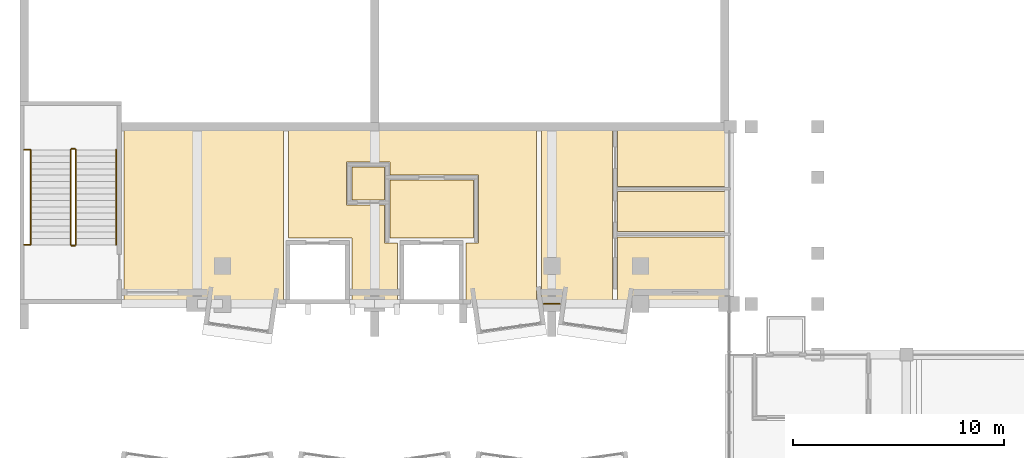
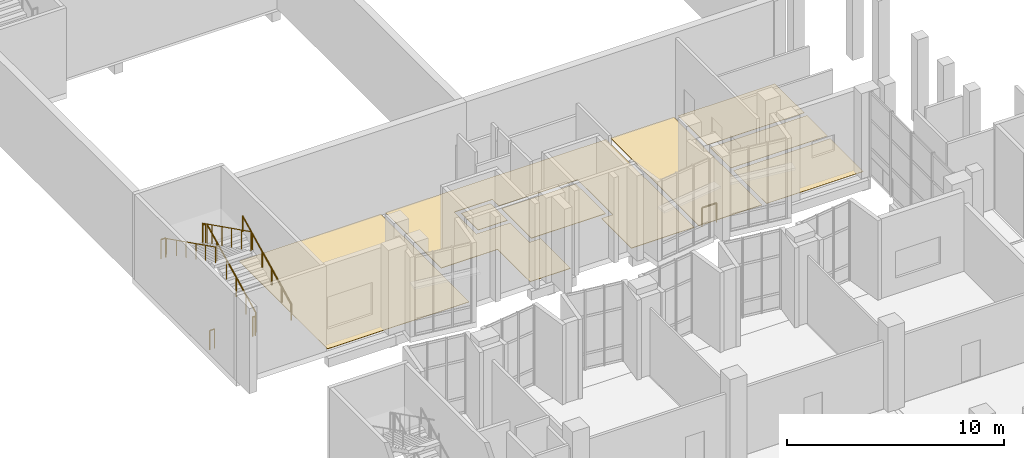
# One storey, part 72 of 91: 9 railings, 8 coverings.
"""IFC4 building model written with IfcOpenShell, lengths in metres."""

import ifcopenshell
import ifcopenshell.guid

model = None  # the IFC model being written
_history = None  # IfcOwnerHistory: only IFC2X3 demands one
_inside = {}  # id of a spatial element -> (the spatial element, [elements in it])
_under = {}  # id of a project, library or spatial element -> (it, [spatial elements below it])
_declared = {}  # id of a project -> (the project, [libraries it declares])
_typed = {}  # id of a type object -> (the type object, [elements of that type])
_made_of = {}  # id of a material, layer set ... -> (it, [elements and type objects made of it])


def new_model(schema):
    """Start an empty IFC model of exactly this schema.

    Asked for "IFC4X3", IfcOpenShell would pick the latest addendum, in which some entities
    have other attributes; the version numbers below select the first issue.
    IFC2X3 requires an IfcOwnerHistory on every rooted entity: one is made here for all.
    """
    global model, _history
    if schema == "IFC4X3":
        model = ifcopenshell.file(schema_version=(4, 3, 0, 0))
    else:
        model = ifcopenshell.file(schema=schema)
    _inside.clear()
    _under.clear()
    _declared.clear()
    _typed.clear()
    _made_of.clear()
    _history = None
    if model.schema == "IFC2X3":
        org = make("IfcOrganization", Name="unknown")
        user = make(
            "IfcPersonAndOrganization",
            ThePerson=make("IfcPerson", FamilyName="unknown"),
            TheOrganization=org,
        )
        app = make(
            "IfcApplication",
            ApplicationDeveloper=org,
            Version="unknown",
            ApplicationFullName="unknown",
            ApplicationIdentifier="unknown",
        )
        _history = make(
            "IfcOwnerHistory",
            OwningUser=user,
            OwningApplication=app,
            ChangeAction="ADDED",
            CreationDate=0,
        )
    return model


def make(cls, **values):
    """One entity of the class cls with the attributes given. An attribute that is None is left unset."""
    return model.create_entity(
        cls, **{name: value for name, value in values.items() if value is not None}
    )


def rooted(cls, **values):
    """An entity with a GlobalId (a new one), such as an element, a storey or a relation."""
    return make(cls, GlobalId=ifcopenshell.guid.new(), OwnerHistory=_history, **values)


def si_unit(unit_type, name, prefix=None):
    """IfcSIUnit, for example si_unit("LENGTHUNIT", "METRE", prefix="MILLI")."""
    return make("IfcSIUnit", UnitType=unit_type, Prefix=prefix, Name=name)


def assignment(units):
    """IfcUnitAssignment: the units of a project."""
    return None if units is None else make("IfcUnitAssignment", Units=units)


def point(xyz):
    """IfcCartesianPoint."""
    return None if xyz is None else make("IfcCartesianPoint", Coordinates=xyz)


def direction(xyz):
    """IfcDirection."""
    return None if xyz is None else make("IfcDirection", DirectionRatios=xyz)


def frame(location, z_axis=None, x_axis=None):
    """IfcAxis2Placement3D, a coordinate frame: its origin and axes. An axis left out is left unset."""
    return make(
        "IfcAxis2Placement3D",
        Location=point(location),
        Axis=direction(z_axis),
        RefDirection=direction(x_axis),
    )


def frame_2d(location, x_axis=None):
    """IfcAxis2Placement2D, a coordinate frame in the plane: its origin and x axis."""
    return make(
        "IfcAxis2Placement2D", Location=point(location), RefDirection=direction(x_axis)
    )


def origin():
    """The frame at (0, 0, 0) with its axes left unset."""
    return frame((0.0, 0.0, 0.0))


def origin_2d():
    """The frame at (0, 0) in the plane with its x axis left unset."""
    return frame_2d((0.0, 0.0))


def place(relative_to, where):
    """IfcLocalPlacement: puts the frame where relative to a parent placement (None: the world)."""
    return make(
        "IfcLocalPlacement", PlacementRelTo=relative_to, RelativePlacement=where
    )


def context(
    kind, dimensions, precision=None, world=None, true_north=None, identifier=None
):
    """IfcGeometricRepresentationContext, for example the 3D "Model" context."""
    return make(
        "IfcGeometricRepresentationContext",
        ContextIdentifier=identifier,
        ContextType=kind,
        CoordinateSpaceDimension=dimensions,
        Precision=precision,
        WorldCoordinateSystem=world,
        TrueNorth=true_north,
    )


def subcontext(parent, identifier, kind, view, scale=None):
    """IfcGeometricRepresentationSubContext, for example "Body" below "Model"."""
    return make(
        "IfcGeometricRepresentationSubContext",
        ContextIdentifier=identifier,
        ContextType=kind,
        ParentContext=parent,
        TargetScale=scale,
        TargetView=view,
    )


def project(units=None, contexts=None):
    """IfcProject with its units and contexts."""
    return rooted(
        "IfcProject",
        Name="project",
        RepresentationContexts=contexts,
        UnitsInContext=assignment(units),
    )


def spatial(cls, under=None, at=None, **own):
    """A site, building, storey or space (cls), placed at a placement, below another one or the project."""
    s = rooted(cls, ObjectPlacement=at, **own)
    if under is not None:
        _under.setdefault(under.id(), (under, []))[1].append(s)
    return s


def polyline(points):
    """IfcPolyline through the points."""
    return make("IfcPolyline", Points=[point(p) for p in points])


def profile(cls, at=None, kind="AREA", **sizes):
    """A parametric profile (cls). Its sizes go by their IFC names, for example OverallWidth=200.0."""
    return make(cls, ProfileType=kind, Position=at, **sizes)


def circle(**sizes):
    """IfcCircleProfileDef."""
    return profile("IfcCircleProfileDef", **sizes)


def outline(outer, holes=None, kind="AREA"):
    """IfcArbitraryClosedProfileDef: a profile drawn as a closed curve; with holes, ...WithVoids."""
    if holes is None:
        return make("IfcArbitraryClosedProfileDef", ProfileType=kind, OuterCurve=outer)
    return make(
        "IfcArbitraryProfileDefWithVoids",
        ProfileType=kind,
        OuterCurve=outer,
        InnerCurves=holes,
    )


def extrude(swept, where, along, depth):
    """IfcExtrudedAreaSolid: the profile swept, set in the frame where, extruded along a direction by depth."""
    return make(
        "IfcExtrudedAreaSolid",
        SweptArea=swept,
        Position=where,
        ExtrudedDirection=direction(along),
        Depth=depth,
    )


def shape(context_of_items, identifier, shape_type, items):
    """IfcShapeRepresentation: the items that make up one representation, for example the "Body"."""
    return make(
        "IfcShapeRepresentation",
        ContextOfItems=context_of_items,
        RepresentationIdentifier=identifier,
        RepresentationType=shape_type,
        Items=items,
    )


def material(Name=None, Category=None):
    """IfcMaterial."""
    return make("IfcMaterial", Name=Name, Category=Category)


def layer(
    of_material, thickness, ventilated=None, Name=None, Category=None, Priority=None
):
    """IfcMaterialLayer: one layer of a wall or slab, of a material (None: an air gap)."""
    return make(
        "IfcMaterialLayer",
        Material=of_material,
        LayerThickness=thickness,
        IsVentilated=ventilated,
        Name=Name,
        Category=Category,
        Priority=Priority,
    )


def layer_set(layers, Name=None):
    """IfcMaterialLayerSet."""
    return make("IfcMaterialLayerSet", MaterialLayers=layers, LayerSetName=Name)


def made_of(thing, what):
    """Note that an element or type object is made of a material, layer set ...; save() writes the relation."""
    if what is not None:
        _made_of.setdefault(what.id(), (what, []))[1].append(thing)
    return thing


def type_object(cls, material=None, **own):
    """A type object (cls), such as IfcWallType, which elements share."""
    return made_of(rooted(cls, **own), material)


def element(
    cls,
    number,
    at=None,
    inside=None,
    cuts=None,
    type_object=None,
    material=None,
    context=None,
    identifier="Body",
    shape_type=None,
    held_by="IfcProductDefinitionShape",
    body=None,
    shapes=None,
    **own,
):
    """One element of the class cls, such as IfcWall. Its Tag is "e" and its number.

    at: its placement. inside: the storey or other place that contains it. cuts: it is an
    opening in that element (IfcRelVoidsElement). A single representation is given by context,
    identifier, shape_type and body (its items); several are given by shapes. held_by: the class
    of the entity that holds the representations. save() writes the other relations.
    """
    e = rooted(cls, Tag="e%d" % number, ObjectPlacement=at, **own)
    if body is not None:
        shapes = [shape(context, identifier, shape_type, body)]
    if shapes is not None:
        e.Representation = make(held_by, Representations=shapes)
    if inside is not None:
        _inside.setdefault(inside.id(), (inside, []))[1].append(e)
    if cuts is not None:
        rooted(
            "IfcRelVoidsElement", RelatingBuildingElement=cuts, RelatedOpeningElement=e
        )
    if type_object is not None:
        _typed.setdefault(type_object.id(), (type_object, []))[1].append(e)
    return made_of(e, material)


def aggregate(whole, parts):
    """IfcRelAggregates: a whole, such as a stair, and the parts it consists of."""
    return rooted("IfcRelAggregates", RelatingObject=whole, RelatedObjects=parts)


def save(model, path):
    """Write the relations noted so far, then the file.

    IfcRelAggregates (storeys below a building ...), IfcRelContainedInSpatialStructure (elements
    in a storey), IfcRelDefinesByType, IfcRelAssociatesMaterial and IfcRelDeclares: one each for
    every whole, place, type object, material and project.
    """
    for whole, parts in _under.values():
        aggregate(whole, parts)
    for where, things in _inside.values():
        rooted(
            "IfcRelContainedInSpatialStructure",
            RelatedElements=things,
            RelatingStructure=where,
        )
    for kind, things in _typed.values():
        rooted("IfcRelDefinesByType", RelatedObjects=things, RelatingType=kind)
    for what, things in _made_of.values():
        rooted("IfcRelAssociatesMaterial", RelatedObjects=things, RelatingMaterial=what)
    for by, libraries in _declared.values():
        rooted("IfcRelDeclares", RelatingContext=by, RelatedDefinitions=libraries)
    model.write(path)


model = new_model("IFC4")

# Units and contexts
model_context = context("Model", 3, precision=1e-05, world=origin(), true_north=direction((0.0, 1.0)))
body_context = subcontext(model_context, "Body", "Model", "MODEL_VIEW")
ifc_project = project(units=[si_unit("LENGTHUNIT", "METRE"), si_unit("AREAUNIT", "SQUARE_METRE"), si_unit("VOLUMEUNIT", "CUBIC_METRE"), si_unit("PLANEANGLEUNIT", "RADIAN"), si_unit("MASSUNIT", "GRAM", prefix="KILO")], contexts=[model_context])

# Site, building, storey
site_placement = place(None, origin())
site = spatial("IfcSite", under=ifc_project, at=site_placement, CompositionType="ELEMENT")
building_placement = place(site_placement, origin())
building = spatial("IfcBuilding", under=site, at=building_placement, Name="Kiln Court Media Centre", CompositionType="ELEMENT")
storey_placement = place(building_placement, frame((0.0, 0.0, 5.39990234375)))
storey = spatial("IfcBuildingStorey", under=building, at=storey_placement, Name="L01", CompositionType="ELEMENT", Elevation=5.39990234375)

# Coverings
ifc_material_1 = material(Name="Ceramic tile")
ifc_layer_1 = layer(ifc_material_1, 0.011962890625)
ifc_layer_set_1 = layer_set([ifc_layer_1], Name="Ceramic tile floor finish 12")
covering_type_1 = type_object("IfcCoveringType", Name="Ceramic tile floor finish 12", PredefinedType="FLOORING", material=ifc_layer_set_1)
covering_1_placement = place(storey_placement, origin())
element("IfcCovering", 1, at=covering_1_placement, inside=storey, type_object=covering_type_1, Name="Women's WC floor finish", PredefinedType="FLOORING", context=body_context, shape_type="SweptSolid", body=[
    extrude(outline(polyline([(33.47998046875, 33.719970703125), (33.47998046875, 36.780029296875), (28.320068359375, 36.780029296875), (28.320068359375, 33.719970703125), (33.47998046875, 33.719970703125)])), origin(), (0.0, 0.0, 1.0), 0.01220703125),
])
covering_2_placement = place(storey_placement, origin())
element("IfcCovering", 2, at=covering_2_placement, inside=storey, type_object=covering_type_1, Name="Men's WC floor finish", PredefinedType="FLOORING", context=body_context, shape_type="SweptSolid", body=[
    extrude(outline(polyline([(33.47998046875, 37.02001953125), (33.47998046875, 38.929931640625), (28.320068359375, 38.929931640625), (28.320068359375, 37.02001953125), (33.47998046875, 37.02001953125)])), origin(), (0.0, 0.0, 1.0), 0.01220703125),
])
covering_3_placement = place(storey_placement, origin())
element("IfcCovering", 3, at=covering_3_placement, inside=storey, type_object=covering_type_1, Name="Accessible WC floor finish", PredefinedType="FLOORING", context=body_context, shape_type="SweptSolid", body=[
    extrude(outline(polyline([(33.47998046875, 39.169921875), (33.47998046875, 41.8798828125), (28.320068359375, 41.8798828125), (28.320068359375, 39.169921875), (33.47998046875, 39.169921875)])), origin(), (0.0, 0.0, 1.0), 0.01220703125),
])
ifc_material_2 = material(Name="Engineered timber", Category="wood")
ifc_layer_2 = layer(ifc_material_2, 0.02001953125)
ifc_layer_set_2 = layer_set([ifc_layer_2], Name="Engineered timber floor finish 20")
covering_type_2 = type_object("IfcCoveringType", Name="Engineered timber floor finish 20", PredefinedType="FLOORING", material=ifc_layer_set_2)
covering_4_placement = place(storey_placement, origin())
element("IfcCovering", 4, at=covering_4_placement, inside=storey, type_object=covering_type_2, Name="Cinema Lounge floor finish", PredefinedType="FLOORING", context=body_context, shape_type="SweptSolid", body=[
    extrude(outline(polyline([(12.47998046875, 41.8798828125), (4.919921875, 41.8798828125), (4.919921875, 33.719970703125), (12.47998046875, 33.719970703125), (12.47998046875, 41.8798828125)])), origin(), (0.0, 0.0, 1.0), 0.02001953125),
])
ifc_material_3 = material(Name="Terrazzo")
ifc_layer_3 = layer(ifc_material_3, 0.02490234375)
ifc_layer_set_3 = layer_set([ifc_layer_3], Name="Polished terrazzo floor finish 25")
covering_type_3 = type_object("IfcCoveringType", Name="Polished terrazzo floor finish 25", PredefinedType="FLOORING", material=ifc_layer_set_3)
covering_5_placement = place(storey_placement, origin())
element("IfcCovering", 5, at=covering_5_placement, inside=storey, type_object=covering_type_3, Name="Mezzanine Lobby floor finish", PredefinedType="FLOORING", context=body_context, shape_type="SweptSolid", body=[
    extrude(outline(polyline([(17.280029296875, 36.47998046875), (17.280029296875, 38.280029296875), (15.47998046875, 38.280029296875), (15.47998046875, 40.320068359375), (17.52001953125, 40.320068359375), (17.52001953125, 39.719970703125), (21.719970703125, 39.719970703125), (21.719970703125, 36.47998046875), (21.1201171875, 36.47998046875), (21.1201171875, 33.719970703125), (24.47998046875, 33.719970703125), (24.47998046875, 41.8798828125), (12.719970703125, 41.8798828125), (12.719970703125, 36.719970703125), (15.719970703125, 36.719970703125), (15.719970703125, 33.719970703125), (17.8798828125, 33.719970703125), (17.8798828125, 36.47998046875), (17.280029296875, 36.47998046875)])), origin(), (0.0, 0.0, 1.0), 0.025146484375),
])
covering_6_placement = place(storey_placement, origin())
element("IfcCovering", 6, at=covering_6_placement, inside=storey, type_object=covering_type_3, Name="Toilet Lobby floor finish", PredefinedType="FLOORING", context=body_context, shape_type="SweptSolid", body=[
    extrude(outline(polyline([(28.080078125, 33.719970703125), (28.080078125, 41.8798828125), (24.719970703125, 41.8798828125), (24.719970703125, 33.719970703125), (28.080078125, 33.719970703125)])), origin(), (0.0, 0.0, 1.0), 0.025146484375),
])
covering_7_placement = place(storey_placement, origin())
element("IfcCovering", 7, at=covering_7_placement, inside=storey, type_object=covering_type_3, Name="Fire-fighting Lift Lobby floor finish", PredefinedType="FLOORING", context=body_context, shape_type="SweptSolid", body=[
    extrude(outline(polyline([(17.52001953125, 36.719970703125), (21.47998046875, 36.719970703125), (21.47998046875, 39.47998046875), (17.52001953125, 39.47998046875), (17.52001953125, 36.719970703125)])), origin(), (0.0, 0.0, 1.0), 0.025146484375),
])
covering_8_placement = place(storey_placement, origin())
element("IfcCovering", 8, at=covering_8_placement, inside=storey, type_object=covering_type_3, Name="Wheelchair Refuge floor finish", PredefinedType="FLOORING", context=body_context, shape_type="SweptSolid", body=[
    extrude(outline(polyline([(15.719970703125, 38.52001953125), (17.280029296875, 38.52001953125), (17.280029296875, 40.080078125), (15.719970703125, 40.080078125), (15.719970703125, 38.52001953125)])), origin(), (0.0, 0.0, 1.0), 0.025146484375),
])

# Railings
ifc_material_4 = material(Name="Steel S275", Category="steel")
railing_type_1 = type_object("IfcRailingType", Name="Steel S275 balustrade guard 1100", PredefinedType="GUARDRAIL", material=ifc_material_4)
railing_1_placement = place(storey_placement, frame((25.582275390625, 33.599609375, 0.0)))
element("IfcRailing", 9, at=railing_1_placement, inside=storey, type_object=railing_type_1, Name="L01 slab notch guard", PredefinedType="GUARDRAIL", context=body_context, shape_type="SweptSolid", body=[
    extrude(circle(Radius=0.02392578125, at=origin_2d()), frame((0.0, 0.0, 1.076171875), z_axis=(-1.0, 0.0, 0.0), x_axis=(0.0, -1.0, 0.0)), (0.0, 0.0, 1.0), 0.764404296875),
    extrude(circle(Radius=0.02099609375, at=origin_2d()), origin(), (0.0, 0.0, 1.0), 1.052001953125),
    extrude(circle(Radius=0.02099609375, at=origin_2d()), frame((-0.764404296875, 0.0, 0.0)), (0.0, 0.0, 1.0), 1.052001953125),
])
ifc_material_5 = material(Name="Steel S275", Category="steel")
railing_type_2 = type_object("IfcRailingType", Name="Steel S275 stair guard 1100", PredefinedType="GUARDRAIL", material=ifc_material_5)
railing_2_placement = place(storey_placement, frame((2.64990234375, 36.39990234375, 0.150146484375)))
element("IfcRailing", 10, at=railing_2_placement, inside=storey, type_object=railing_type_2, Name="ST-06 stair guard", PredefinedType="GUARDRAIL", context=body_context, shape_type="SweptSolid", body=[
    extrude(circle(Radius=0.02392578125, at=origin_2d()), frame((0.0, 0.0, 1.076171875), z_axis=(0.0, 0.894427191, 0.4472135955), x_axis=(-1.0, 0.0, 0.0)), (0.0, 0.0, 1.0), 5.03125),
    extrude(circle(Radius=0.02099609375, at=origin_2d()), origin(), (0.0, 0.0, 1.0), 1.052001953125),
    extrude(circle(Radius=0.02099609375, at=origin_2d()), frame((0.0, 0.89990234375, 0.449951171875)), (0.0, 0.0, 1.0), 1.052001953125),
    extrude(circle(Radius=0.02099609375, at=origin_2d()), frame((0.0, 1.800048828125, 0.89990234375)), (0.0, 0.0, 1.0), 1.052001953125),
    extrude(circle(Radius=0.02099609375, at=origin_2d()), frame((0.0, 2.699951171875, 1.35009765625)), (0.0, 0.0, 1.0), 1.052001953125),
    extrude(circle(Radius=0.02099609375, at=origin_2d()), frame((0.0, 3.60009765625, 1.800048828125)), (0.0, 0.0, 1.0), 1.052001953125),
    extrude(circle(Radius=0.02099609375, at=origin_2d()), frame((0.0, 4.5, 2.25)), (0.0, 0.0, 1.0), 1.052001953125),
])
railing_3_placement = place(storey_placement, frame((2.60009765625, 40.949951171875, 2.400146484375)))
element("IfcRailing", 11, at=railing_3_placement, inside=storey, type_object=railing_type_2, Name="ST-06 stair guard", PredefinedType="GUARDRAIL", context=body_context, shape_type="SweptSolid", body=[
    extrude(circle(Radius=0.02392578125, at=origin_2d()), frame((0.0, 0.0, 1.076171875), z_axis=(-1.0, 0.0, 0.0), x_axis=(0.0, -1.0, 0.0)), (0.0, 0.0, 1.0), 0.150146484375),
    extrude(circle(Radius=0.02099609375, at=origin_2d()), origin(), (0.0, 0.0, 1.0), 1.052001953125),
    extrude(circle(Radius=0.02099609375, at=origin_2d()), frame((-0.150146484375, 0.0, 0.0)), (0.0, 0.0, 1.0), 1.052001953125),
])
railing_4_placement = place(storey_placement, frame((2.39990234375, 40.89990234375, 2.550048828125)))
element("IfcRailing", 12, at=railing_4_placement, inside=storey, type_object=railing_type_2, Name="ST-06 stair guard", PredefinedType="GUARDRAIL", context=body_context, shape_type="SweptSolid", body=[
    extrude(circle(Radius=0.02392578125, at=origin_2d()), frame((0.0, 0.0, 1.076171875), z_axis=(0.0, -0.894427191, 0.4472135955), x_axis=(1.0, 0.0, 0.0)), (0.0, 0.0, 1.0), 5.03125),
    extrude(circle(Radius=0.02099609375, at=origin_2d()), origin(), (0.0, 0.0, 1.0), 1.052001953125),
    extrude(circle(Radius=0.02099609375, at=origin_2d()), frame((0.0, -0.89990234375, 0.449951171875)), (0.0, 0.0, 1.0), 1.052001953125),
    extrude(circle(Radius=0.02099609375, at=origin_2d()), frame((0.0, -1.800048828125, 0.89990234375)), (0.0, 0.0, 1.0), 1.052001953125),
    extrude(circle(Radius=0.02099609375, at=origin_2d()), frame((0.0, -2.699951171875, 1.35009765625)), (0.0, 0.0, 1.0), 1.052001953125),
    extrude(circle(Radius=0.02099609375, at=origin_2d()), frame((0.0, -3.60009765625, 1.800048828125)), (0.0, 0.0, 1.0), 1.052001953125),
    extrude(circle(Radius=0.02099609375, at=origin_2d()), frame((0.0, -4.5, 2.25)), (0.0, 0.0, 1.0), 1.052001953125),
])
railing_5_placement = place(storey_placement, frame((2.60009765625, 36.35009765625, 0.0)))
element("IfcRailing", 13, at=railing_5_placement, inside=storey, type_object=railing_type_2, Name="ST-06 stair guard", PredefinedType="GUARDRAIL", context=body_context, shape_type="SweptSolid", body=[
    extrude(circle(Radius=0.02392578125, at=origin_2d()), frame((0.0, 0.0, 1.076171875), z_axis=(-1.0, 0.0, 0.0), x_axis=(0.0, -1.0, 0.0)), (0.0, 0.0, 1.0), 0.150146484375),
    extrude(circle(Radius=0.02099609375, at=origin_2d()), origin(), (0.0, 0.0, 1.0), 1.052001953125),
    extrude(circle(Radius=0.02099609375, at=origin_2d()), frame((-0.150146484375, 0.0, 0.0)), (0.0, 0.0, 1.0), 1.052001953125),
])
for number, where, name in (
    (14, (0.449951171875, 40.89990234375, 2.400146484375), "ST-06 landing edge guard"),
    (15, (0.449951171875, 36.39990234375, 0.0), "ST-06 landing edge guard"),
):
    element("IfcRailing", number, at=place(storey_placement, frame(where)), inside=storey, type_object=railing_type_2, Name=name, PredefinedType="GUARDRAIL", context=body_context, shape_type="SweptSolid", body=[
        extrude(circle(Radius=0.02392578125, at=origin_2d()), frame((0.0, 0.0, 1.076171875), z_axis=(-1.0, 0.0, 0.0), x_axis=(0.0, -1.0, 0.0)), (0.0, 0.0, 1.0), 0.25),
        extrude(circle(Radius=0.02099609375, at=origin_2d()), origin(), (0.0, 0.0, 1.0), 1.052001953125),
        extrude(circle(Radius=0.02099609375, at=origin_2d()), frame((-0.25, 0.0, 0.0)), (0.0, 0.0, 1.0), 1.052001953125),
    ])
ifc_material_6 = material(Name="Steel S275", Category="steel")
railing_type_3 = type_object("IfcRailingType", Name="Steel S275 stair handrail 900", PredefinedType="HANDRAIL", material=ifc_material_6)
railing_6_placement = place(storey_placement, frame((4.550048828125, 36.39990234375, 0.150146484375)))
element("IfcRailing", 16, at=railing_6_placement, inside=storey, type_object=railing_type_3, Name="ST-06 stair handrail", PredefinedType="HANDRAIL", context=body_context, shape_type="SweptSolid", body=[
    extrude(circle(Radius=0.02392578125, at=origin_2d()), frame((0.0, 0.0, 0.8759765625), z_axis=(0.0, 0.894427191, 0.4472135955), x_axis=(-1.0, 0.0, 0.0)), (0.0, 0.0, 1.0), 5.03125),
    extrude(circle(Radius=0.02099609375, at=origin_2d()), origin(), (0.0, 0.0, 1.0), 0.851806640625),
    extrude(circle(Radius=0.02099609375, at=origin_2d()), frame((0.0, 0.89990234375, 0.449951171875)), (0.0, 0.0, 1.0), 0.851806640625),
    extrude(circle(Radius=0.02099609375, at=origin_2d()), frame((0.0, 1.800048828125, 0.89990234375)), (0.0, 0.0, 1.0), 0.851806640625),
    extrude(circle(Radius=0.02099609375, at=origin_2d()), frame((0.0, 2.699951171875, 1.35009765625)), (0.0, 0.0, 1.0), 0.851806640625),
    extrude(circle(Radius=0.02099609375, at=origin_2d()), frame((0.0, 3.60009765625, 1.800048828125)), (0.0, 0.0, 1.0), 0.851806640625),
    extrude(circle(Radius=0.02099609375, at=origin_2d()), frame((0.0, 4.5, 2.25)), (0.0, 0.0, 1.0), 0.851806640625),
])
railing_7_placement = place(storey_placement, frame((0.5, 40.89990234375, 2.550048828125)))
element("IfcRailing", 17, at=railing_7_placement, inside=storey, type_object=railing_type_3, Name="ST-06 stair handrail", PredefinedType="HANDRAIL", context=body_context, shape_type="SweptSolid", body=[
    extrude(circle(Radius=0.02392578125, at=origin_2d()), frame((0.0, 0.0, 0.8759765625), z_axis=(0.0, -0.894427191, 0.4472135955), x_axis=(1.0, 0.0, 0.0)), (0.0, 0.0, 1.0), 5.03125),
    extrude(circle(Radius=0.02099609375, at=origin_2d()), origin(), (0.0, 0.0, 1.0), 0.851806640625),
    extrude(circle(Radius=0.02099609375, at=origin_2d()), frame((0.0, -0.89990234375, 0.449951171875)), (0.0, 0.0, 1.0), 0.851806640625),
    extrude(circle(Radius=0.02099609375, at=origin_2d()), frame((0.0, -1.800048828125, 0.89990234375)), (0.0, 0.0, 1.0), 0.851806640625),
    extrude(circle(Radius=0.02099609375, at=origin_2d()), frame((0.0, -2.699951171875, 1.35009765625)), (0.0, 0.0, 1.0), 0.851806640625),
    extrude(circle(Radius=0.02099609375, at=origin_2d()), frame((0.0, -3.60009765625, 1.800048828125)), (0.0, 0.0, 1.0), 0.851806640625),
    extrude(circle(Radius=0.02099609375, at=origin_2d()), frame((0.0, -4.5, 2.25)), (0.0, 0.0, 1.0), 0.851806640625),
])

save(model, "model.ifc")
